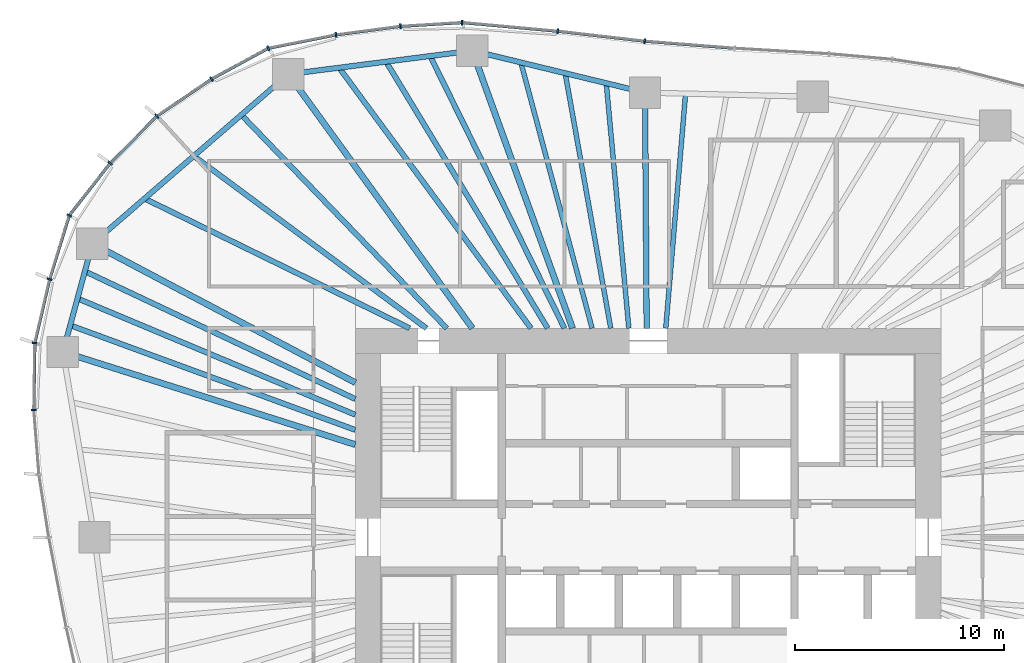
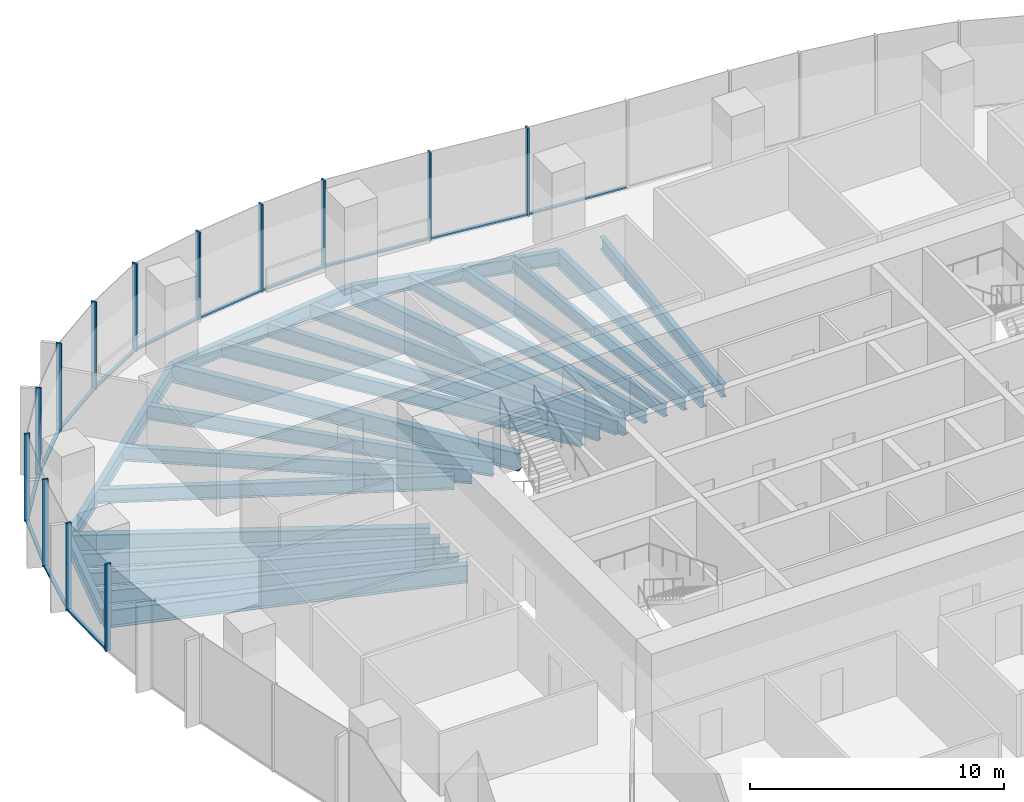
# One storey, part 5 of 18: 26 members, 22 beams, 6 elements without a shape of their own.
"""IFC4 building model written with IfcOpenShell, lengths in metres."""

from ifc_helpers import new_model, si_unit, direction, frame, origin, origin_2d, place, context, subcontext, project, spatial, rectangle, i_section, extrude, material, material_profile, profile_set, type_object, element, aggregate, save


model = new_model("IFC4")

# Units and contexts
model_context = context("Model", 3, precision=1e-05, world=origin(), true_north=direction((0.0, 1.0)))
body_context = subcontext(model_context, "Body", "Model", "MODEL_VIEW")
ifc_project = project(units=[si_unit("LENGTHUNIT", "METRE"), si_unit("AREAUNIT", "SQUARE_METRE"), si_unit("VOLUMEUNIT", "CUBIC_METRE"), si_unit("PLANEANGLEUNIT", "RADIAN"), si_unit("MASSUNIT", "GRAM", prefix="KILO")], contexts=[model_context])

# Site, building, storey
site_placement = place(None, origin())
site = spatial("IfcSite", under=ifc_project, at=site_placement, CompositionType="ELEMENT")
building_placement = place(site_placement, origin())
building = spatial("IfcBuilding", under=site, at=building_placement, Name="Ghaith Harvest Tower", CompositionType="ELEMENT")
storey_placement = place(building_placement, frame((0.0, 0.0, 130.199951171875)))
storey = spatial("IfcBuildingStorey", under=building, at=storey_placement, Name="L27", CompositionType="ELEMENT", Elevation=130.199951171875)

# Curtain wall, members
ifc_material_1 = material(Name="Black anodised aluminium and fritted glass", Category="aluminium")
curtain_wall_type = type_object("IfcCurtainWallType", Name="CW-L CURTAIN WALL", PredefinedType="NOTDEFINED", material=ifc_material_1)
curtain_wall_1_placement = place(storey_placement, origin())
curtain_wall_1 = element("IfcCurtainWall", 1, at=curtain_wall_1_placement, inside=storey, type_object=curtain_wall_type, Name="Curtain wall CW-L bay 06 L27", PredefinedType="NOTDEFINED")
ifc_material_2 = material(Name="Aluminium, black anodised", Category="aluminium")
ifc_material_profile_1 = material_profile(ifc_material_2, rectangle(XDim=0.080078125, YDim=0.239990234375, at=origin_2d()), Name="CW-L MULLION 80x240")
ifc_profile_set_1 = profile_set([ifc_material_profile_1], Name="Aluminium, black anodised")
member_type_1 = type_object("IfcMemberType", Name="CW-L MULLION 80x240", PredefinedType="MULLION", material=ifc_profile_set_1)
member_1_placement = place(storey_placement, frame((-0.162353515625, 23.729736328125, 0.0), z_axis=(0.0, 0.0, 1.0), x_axis=(-0.995388088953, 0.095929934691, 0.0)))
member_1 = element("IfcMember", 2, at=member_1_placement, type_object=member_type_1, Name="CW-L mullion 1 bay 06 L27", PredefinedType="MULLION", context=body_context, shape_type="SweptSolid", body=[
    extrude(rectangle(XDim=0.080078125, YDim=0.239990234375, at=origin_2d()), origin(), (0.0, 0.0, 1.0), 4.199951171875),
])
member_2_placement = place(storey_placement, frame((-4.322998046875, 24.207275390625, 0.0), z_axis=(0.0, 0.0, 1.0), x_axis=(-0.994830371571, 0.101550636625, 0.0)))
member_2 = element("IfcMember", 3, at=member_2_placement, type_object=member_type_1, Name="CW-L mullion 2 bay 06 L27", PredefinedType="MULLION", context=body_context, shape_type="SweptSolid", body=[
    extrude(rectangle(XDim=0.080078125, YDim=0.239990234375, at=origin_2d()), origin(), (0.0, 0.0, 1.0), 4.199951171875),
])

curtain_wall_2_placement = place(storey_placement, origin())
curtain_wall_2 = element("IfcCurtainWall", 4, at=curtain_wall_2_placement, inside=storey, type_object=curtain_wall_type, Name="Curtain wall CW-L bay 07 L27", PredefinedType="NOTDEFINED")
member_3_placement = place(storey_placement, frame((-8.892578125, 24.620849609375, 0.0), z_axis=(0.0, 0.0, 1.0), x_axis=(-0.999522209385, 0.030908784286, 0.0)))
member_3 = element("IfcMember", 5, at=member_3_placement, type_object=member_type_1, Name="CW-L mullion 1 bay 07 L27", PredefinedType="MULLION", context=body_context, shape_type="SweptSolid", body=[
    extrude(rectangle(XDim=0.080078125, YDim=0.239990234375, at=origin_2d()), origin(), (0.0, 0.0, 1.0), 4.199951171875),
])
member_4_placement = place(storey_placement, frame((-11.841064453125, 24.439697265625, 0.0), z_axis=(0.0, 0.0, 1.0), x_axis=(-0.995237520168, -0.097479630949, 0.0)))
member_4 = element("IfcMember", 6, at=member_4_placement, type_object=member_type_1, Name="CW-L mullion 2 bay 07 L27", PredefinedType="MULLION", context=body_context, shape_type="SweptSolid", body=[
    extrude(rectangle(XDim=0.080078125, YDim=0.239990234375, at=origin_2d()), origin(), (0.0, 0.0, 1.0), 4.199951171875),
])
member_5_placement = place(storey_placement, frame((-14.923828125, 24.030029296875, 0.0), z_axis=(0.0, 0.0, 1.0), x_axis=(-0.986494514812, -0.163794298578, 0.0)))
member_5 = element("IfcMember", 7, at=member_5_placement, type_object=member_type_1, Name="CW-L mullion 3 bay 07 L27", PredefinedType="MULLION", context=body_context, shape_type="SweptSolid", body=[
    extrude(rectangle(XDim=0.080078125, YDim=0.239990234375, at=origin_2d()), origin(), (0.0, 0.0, 1.0), 4.199951171875),
])

curtain_wall_3_placement = place(storey_placement, origin())
curtain_wall_3 = element("IfcCurtainWall", 8, at=curtain_wall_3_placement, inside=storey, type_object=curtain_wall_type, Name="Curtain wall CW-L bay 08 L27", PredefinedType="NOTDEFINED")
member_6_placement = place(storey_placement, frame((-18.165283203125, 23.3896484375, 0.0), z_axis=(0.0, 0.0, 1.0), x_axis=(-0.942103541202, -0.335322110298, 0.0)))
member_6 = element("IfcMember", 9, at=member_6_placement, type_object=member_type_1, Name="CW-L mullion 1 bay 08 L27", PredefinedType="MULLION", context=body_context, shape_type="SweptSolid", body=[
    extrude(rectangle(XDim=0.080078125, YDim=0.239990234375, at=origin_2d()), origin(), (0.0, 0.0, 1.0), 4.199951171875),
])
member_7_placement = place(storey_placement, frame((-20.87548828125, 21.91162109375, 0.0), z_axis=(0.0, 0.0, 1.0), x_axis=(-0.853515864435, -0.521066856707, 0.0)))
member_7 = element("IfcMember", 10, at=member_7_placement, type_object=member_type_1, Name="CW-L mullion 2 bay 08 L27", PredefinedType="MULLION", context=body_context, shape_type="SweptSolid", body=[
    extrude(rectangle(XDim=0.080078125, YDim=0.239990234375, at=origin_2d()), origin(), (0.0, 0.0, 1.0), 4.199951171875),
])
member_8_placement = place(storey_placement, frame((-23.489501953125, 20.13916015625, 0.0), z_axis=(0.0, 0.0, 1.0), x_axis=(-0.769682554376, -0.638426789451, 0.0)))
member_8 = element("IfcMember", 11, at=member_8_placement, type_object=member_type_1, Name="CW-L mullion 3 bay 08 L27", PredefinedType="MULLION", context=body_context, shape_type="SweptSolid", body=[
    extrude(rectangle(XDim=0.080078125, YDim=0.239990234375, at=origin_2d()), origin(), (0.0, 0.0, 1.0), 4.199951171875),
])

curtain_wall_4_placement = place(storey_placement, origin())
curtain_wall_4 = element("IfcCurtainWall", 12, at=curtain_wall_4_placement, inside=storey, type_object=curtain_wall_type, Name="Curtain wall CW-L bay 09 L27", PredefinedType="NOTDEFINED")
member_9_placement = place(storey_placement, frame((-25.718017578125, 17.894775390625, 0.0), z_axis=(0.0, 0.0, 1.0), x_axis=(-0.661903840688, -0.749588757708, 0.0)))
member_9 = element("IfcMember", 13, at=member_9_placement, type_object=member_type_1, Name="CW-L mullion 1 bay 09 L27", PredefinedType="MULLION", context=body_context, shape_type="SweptSolid", body=[
    extrude(rectangle(XDim=0.080078125, YDim=0.239990234375, at=origin_2d()), origin(), (0.0, 0.0, 1.0), 4.199951171875),
])
member_10_placement = place(storey_placement, frame((-27.67919921875, 15.39453125, 0.0), z_axis=(0.0, 0.0, 1.0), x_axis=(-0.462889784298, -0.886415843491, 0.0)))
member_10 = element("IfcMember", 14, at=member_10_placement, type_object=member_type_1, Name="CW-L mullion 2 bay 09 L27", PredefinedType="MULLION", context=body_context, shape_type="SweptSolid", body=[
    extrude(rectangle(XDim=0.080078125, YDim=0.239990234375, at=origin_2d()), origin(), (0.0, 0.0, 1.0), 4.199951171875),
])
member_11_placement = place(storey_placement, frame((-28.61669921875, 12.343994140625, 0.0), z_axis=(0.0, 0.0, 1.0), x_axis=(-0.260727312416, -0.965412486226, 0.0)))
member_11 = element("IfcMember", 15, at=member_11_placement, type_object=member_type_1, Name="CW-L mullion 3 bay 09 L27", PredefinedType="MULLION", context=body_context, shape_type="SweptSolid", body=[
    extrude(rectangle(XDim=0.080078125, YDim=0.239990234375, at=origin_2d()), origin(), (0.0, 0.0, 1.0), 4.199951171875),
])

curtain_wall_5_placement = place(storey_placement, origin())
curtain_wall_5 = element("IfcCurtainWall", 16, at=curtain_wall_5_placement, inside=storey, type_object=curtain_wall_type, Name="Curtain wall CW-L bay 10 L27", PredefinedType="NOTDEFINED")
member_12_placement = place(storey_placement, frame((-29.32666015625, 9.294189453125, 0.0), z_axis=(0.0, 0.0, 1.0), x_axis=(-0.120932140225, -0.99266077663, 0.0)))
member_12 = element("IfcMember", 17, at=member_12_placement, type_object=member_type_1, Name="CW-L mullion 1 bay 10 L27", PredefinedType="MULLION", context=body_context, shape_type="SweptSolid", body=[
    extrude(rectangle(XDim=0.080078125, YDim=0.239990234375, at=origin_2d()), origin(), (0.0, 0.0, 1.0), 4.199951171875),
])
member_13_placement = place(storey_placement, frame((-29.3779296875, 6.09619140625, 0.0), z_axis=(0.0, 0.0, 1.0), x_axis=(0.031027769448, -0.999518522851, 0.0)))
member_13 = element("IfcMember", 18, at=member_13_placement, type_object=member_type_1, Name="CW-L mullion 2 bay 10 L27", PredefinedType="MULLION", context=body_context, shape_type="SweptSolid", body=[
    extrude(rectangle(XDim=0.080078125, YDim=0.239990234375, at=origin_2d()), origin(), (0.0, 0.0, 1.0), 4.199951171875),
])

# Curtain wall, member
curtain_wall_6_placement = place(storey_placement, origin())
curtain_wall_6 = element("IfcCurtainWall", 19, at=curtain_wall_6_placement, inside=storey, type_object=curtain_wall_type, Name="Curtain wall CW-L bay 05 L27", PredefinedType="NOTDEFINED")
ifc_material_3 = material(Name="Aluminium, black anodised", Category="aluminium")
ifc_material_profile_2 = material_profile(ifc_material_3, rectangle(XDim=0.14990234375, YDim=0.080078125, at=origin_2d()), Name="CW-L TRANSOM 150x80")
ifc_profile_set_2 = profile_set([ifc_material_profile_2], Name="Aluminium, black anodised")
member_type_2 = type_object("IfcMemberType", Name="CW-L TRANSOM 150x80", PredefinedType="USERDEFINED", material=ifc_profile_set_2)
member_14_placement = place(storey_placement, frame((4.106689453125, 23.39404296875, 0.0400390625), z_axis=(-0.996923406046, 0.078381901463, 0.0), x_axis=(-0.078381901463, -0.996923406046, 0.0)))
member_14 = element("IfcMember", 20, at=member_14_placement, type_object=member_type_2, Name="CW-L transom 2 bay 05 L27", ObjectType="TRANSOM", PredefinedType="USERDEFINED", context=body_context, shape_type="SweptSolid", body=[
    extrude(rectangle(XDim=0.14990234375, YDim=0.080078125, at=origin_2d()), origin(), (0.0, 0.0, 1.0), 4.2421875),
])
aggregate(curtain_wall_6, [member_14])

# Member
member_15_placement = place(storey_placement, frame((-0.2021484375, 23.734130859375, 0.0400390625), z_axis=(-0.993474883942, 0.114051106861, 0.0), x_axis=(-0.114051106861, -0.993474883942, 0.0)))
member_15 = element("IfcMember", 21, at=member_15_placement, type_object=member_type_2, Name="CW-L transom 1 bay 06 L27", ObjectType="TRANSOM", PredefinedType="USERDEFINED", context=body_context, shape_type="SweptSolid", body=[
    extrude(rectangle(XDim=0.14990234375, YDim=0.080078125, at=origin_2d()), origin(), (0.0, 0.0, 1.0), 4.10791015625),
])

member_16_placement = place(storey_placement, frame((-4.36279296875, 24.210693359375, 0.0400390625), z_axis=(-0.995926431676, 0.090169521954, 0.0), x_axis=(-0.090169521954, -0.995926431676, 0.0)))
member_16 = element("IfcMember", 22, at=member_16_placement, type_object=member_type_2, Name="CW-L transom 2 bay 06 L27", ObjectType="TRANSOM", PredefinedType="USERDEFINED", context=body_context, shape_type="SweptSolid", body=[
    extrude(rectangle(XDim=0.14990234375, YDim=0.080078125, at=origin_2d()), origin(), (0.0, 0.0, 1.0), 4.508056640625),
])

aggregate(curtain_wall_1, [member_1, member_15, member_2, member_16])

member_17_placement = place(storey_placement, frame((-8.932373046875, 24.618408203125, 0.0400390625), z_axis=(-0.998117793577, -0.061325933705, 0.0), x_axis=(0.061325933705, -0.998117793577, 0.0)))
member_17 = element("IfcMember", 23, at=member_17_placement, type_object=member_type_2, Name="CW-L transom 1 bay 07 L27", ObjectType="TRANSOM", PredefinedType="USERDEFINED", context=body_context, shape_type="SweptSolid", body=[
    extrude(rectangle(XDim=0.14990234375, YDim=0.080078125, at=origin_2d()), origin(), (0.0, 0.0, 1.0), 2.874267578125),
])

member_18_placement = place(storey_placement, frame((-11.880859375, 24.434326171875, 0.0400390625), z_axis=(-0.991293929443, -0.131667556553, 0.0), x_axis=(0.131667556553, -0.991293929443, 0.0)))
member_18 = element("IfcMember", 24, at=member_18_placement, type_object=member_type_2, Name="CW-L transom 2 bay 07 L27", ObjectType="TRANSOM", PredefinedType="USERDEFINED", context=body_context, shape_type="SweptSolid", body=[
    extrude(rectangle(XDim=0.14990234375, YDim=0.080078125, at=origin_2d()), origin(), (0.0, 0.0, 1.0), 3.02978515625),
])

member_19_placement = place(storey_placement, frame((-14.963134765625, 24.022216796875, 0.0400390625), z_axis=(-0.98104391994, -0.19378551842, 0.0), x_axis=(0.19378551842, -0.98104391994, 0.0)))
member_19 = element("IfcMember", 25, at=member_19_placement, type_object=member_type_2, Name="CW-L transom 3 bay 07 L27", ObjectType="TRANSOM", PredefinedType="USERDEFINED", context=body_context, shape_type="SweptSolid", body=[
    extrude(rectangle(XDim=0.14990234375, YDim=0.080078125, at=origin_2d()), origin(), (0.0, 0.0, 1.0), 3.223876953125),
])

aggregate(curtain_wall_2, [member_3, member_17, member_4, member_18, member_5, member_19])

member_20_placement = place(storey_placement, frame((-18.200439453125, 23.37060546875, 0.0400390625), z_axis=(-0.877929702377, -0.478789554695, 0.0), x_axis=(0.478789554695, -0.877929702377, 0.0)))
member_20 = element("IfcMember", 26, at=member_20_placement, type_object=member_type_2, Name="CW-L transom 1 bay 08 L27", ObjectType="TRANSOM", PredefinedType="USERDEFINED", context=body_context, shape_type="SweptSolid", body=[
    extrude(rectangle(XDim=0.14990234375, YDim=0.080078125, at=origin_2d()), origin(), (0.0, 0.0, 1.0), 3.0068359375),
])

member_21_placement = place(storey_placement, frame((-20.908447265625, 21.88916015625, 0.0400390625), z_axis=(-0.827681025079, -0.561198824593, 0.0), x_axis=(0.561198824593, -0.827681025079, 0.0)))
member_21 = element("IfcMember", 27, at=member_21_placement, type_object=member_type_2, Name="CW-L transom 2 bay 08 L27", ObjectType="TRANSOM", PredefinedType="USERDEFINED", context=body_context, shape_type="SweptSolid", body=[
    extrude(rectangle(XDim=0.14990234375, YDim=0.080078125, at=origin_2d()), origin(), (0.0, 0.0, 1.0), 3.078369140625),
])

member_22_placement = place(storey_placement, frame((-23.517578125, 20.11083984375, 0.0400390625), z_axis=(-0.704647577514, -0.709557461735, 0.0), x_axis=(0.709557461735, -0.704647577514, 0.0)))
member_22 = element("IfcMember", 28, at=member_22_placement, type_object=member_type_2, Name="CW-L transom 3 bay 08 L27", ObjectType="TRANSOM", PredefinedType="USERDEFINED", context=body_context, shape_type="SweptSolid", body=[
    extrude(rectangle(XDim=0.14990234375, YDim=0.080078125, at=origin_2d()), origin(), (0.0, 0.0, 1.0), 3.0830078125),
])

aggregate(curtain_wall_3, [member_6, member_20, member_7, member_21, member_8, member_22])

member_23_placement = place(storey_placement, frame((-25.74267578125, 17.86328125, 0.0400390625), z_axis=(-0.617198298797, -0.786807638474, 0.0), x_axis=(0.786807638474, -0.617198298797, 0.0)))
member_23 = element("IfcMember", 29, at=member_23_placement, type_object=member_type_2, Name="CW-L transom 1 bay 09 L27", ObjectType="TRANSOM", PredefinedType="USERDEFINED", context=body_context, shape_type="SweptSolid", body=[
    extrude(rectangle(XDim=0.14990234375, YDim=0.080078125, at=origin_2d()), origin(), (0.0, 0.0, 1.0), 3.09765625),
])

member_24_placement = place(storey_placement, frame((-27.69091796875, 15.356201171875, 0.0400390625), z_axis=(-0.293777058804, -0.955873966441, 0.0), x_axis=(0.955873966441, -0.293777058804, 0.0)))
member_24 = element("IfcMember", 30, at=member_24_placement, type_object=member_type_2, Name="CW-L transom 2 bay 09 L27", ObjectType="TRANSOM", PredefinedType="USERDEFINED", context=body_context, shape_type="SweptSolid", body=[
    extrude(rectangle(XDim=0.14990234375, YDim=0.080078125, at=origin_2d()), origin(), (0.0, 0.0, 1.0), 3.111328125),
])

member_25_placement = place(storey_placement, frame((-28.6259765625, 12.304931640625, 0.0400390625), z_axis=(-0.226670598607, -0.973971477882, 0.0), x_axis=(0.973971477882, -0.226670598607, 0.0)))
member_25 = element("IfcMember", 31, at=member_25_placement, type_object=member_type_2, Name="CW-L transom 3 bay 09 L27", ObjectType="TRANSOM", PredefinedType="USERDEFINED", context=body_context, shape_type="SweptSolid", body=[
    extrude(rectangle(XDim=0.14990234375, YDim=0.080078125, at=origin_2d()), origin(), (0.0, 0.0, 1.0), 3.05126953125),
])

aggregate(curtain_wall_4, [member_9, member_23, member_10, member_24, member_11, member_25])

member_26_placement = place(storey_placement, frame((-29.327392578125, 9.254150390625, 0.0400390625), z_axis=(-0.015971652868, -0.999872445017, 0.0), x_axis=(0.999872445017, -0.015971652868, 0.0)))
member_26 = element("IfcMember", 32, at=member_26_placement, type_object=member_type_2, Name="CW-L transom 1 bay 10 L27", ObjectType="TRANSOM", PredefinedType="USERDEFINED", context=body_context, shape_type="SweptSolid", body=[
    extrude(rectangle(XDim=0.14990234375, YDim=0.080078125, at=origin_2d()), origin(), (0.0, 0.0, 1.0), 3.118408203125),
])

aggregate(curtain_wall_5, [member_12, member_26, member_13])

# Beams
ifc_material_4 = material(Name="Steel ASTM A992 Grade 50", Category="steel")
ifc_material_profile_3 = material_profile(ifc_material_4, i_section(OverallWidth=0.25390625, OverallDepth=0.68408203125, WebThickness=0.012451171875, FlangeThickness=0.018798828125, at=origin_2d()), Name="W690X140")
ifc_profile_set_3 = profile_set([ifc_material_profile_3], Name="Steel ASTM A992 Grade 50")
beam_type_1 = type_object("IfcBeamType", Name="E690-140 W690X140", PredefinedType="SPANDREL", material=ifc_profile_set_3)
beam_1_placement = place(storey_placement, frame((-0.14599609375, 21.27099609375, -0.511962890625), z_axis=(-0.971790293477, 0.235846614358, 0.0), x_axis=(-0.235846614358, -0.971790293477, 0.0)))
element("IfcBeam", 33, at=beam_1_placement, inside=storey, type_object=beam_type_1, Name="Edge beam E06 L27", PredefinedType="SPANDREL", context=body_context, shape_type="SweptSolid", body=[
    extrude(i_section(OverallWidth=0.25390625, OverallDepth=0.68408203125, WebThickness=0.012451171875, FlangeThickness=0.018798828125, at=origin_2d()), origin(), (0.0, 0.0, 1.0), 8.500732421875),
])
beam_2_placement = place(storey_placement, frame((-8.406982421875, 23.27587890625, -0.511962890625), z_axis=(-0.991904090065, -0.126989275577, 0.0), x_axis=(0.126989275577, -0.991904090065, 0.0)))
element("IfcBeam", 34, at=beam_2_placement, inside=storey, type_object=beam_type_1, Name="Edge beam E07 L27", PredefinedType="SPANDREL", context=body_context, shape_type="SweptSolid", body=[
    extrude(i_section(OverallWidth=0.25390625, OverallDepth=0.68408203125, WebThickness=0.012451171875, FlangeThickness=0.018798828125, at=origin_2d()), origin(), (0.0, 0.0, 1.0), 8.86669921875),
])
beam_3_placement = place(storey_placement, frame((-17.201904296875, 22.14990234375, -0.511962890625), z_axis=(-0.756392158274, -0.654118416574, 0.0), x_axis=(0.654118416574, -0.756392158274, 0.0)))
element("IfcBeam", 35, at=beam_3_placement, inside=storey, type_object=beam_type_1, Name="Edge beam E08 L27", PredefinedType="SPANDREL", context=body_context, shape_type="SweptSolid", body=[
    extrude(i_section(OverallWidth=0.25390625, OverallDepth=0.68408203125, WebThickness=0.012451171875, FlangeThickness=0.018798828125, at=origin_2d()), origin(), (0.0, 0.0, 1.0), 12.38916015625),
])
beam_4_placement = place(storey_placement, frame((-26.572998046875, 14.0458984375, -0.511962890625), z_axis=(-0.262724740433, -0.964870825947, 0.0), x_axis=(0.964870825947, -0.262724740433, 0.0)))
element("IfcBeam", 36, at=beam_4_placement, inside=storey, type_object=beam_type_1, Name="Edge beam E09 L27", PredefinedType="SPANDREL", context=body_context, shape_type="SweptSolid", body=[
    extrude(i_section(OverallWidth=0.25390625, OverallDepth=0.68408203125, WebThickness=0.012451171875, FlangeThickness=0.018798828125, at=origin_2d()), origin(), (0.0, 0.0, 1.0), 5.366455078125),
])
ifc_material_5 = material(Name="Steel ASTM A992 Grade 50", Category="steel")
ifc_material_profile_4 = material_profile(ifc_material_5, i_section(OverallWidth=0.26806640625, OverallDepth=0.77001953125, WebThickness=0.015625, FlangeThickness=0.025390625, at=origin_2d()), Name="W760X196")
ifc_profile_set_4 = profile_set([ifc_material_profile_4], Name="Steel ASTM A992 Grade 50")
beam_type_2 = type_object("IfcBeamType", Name="G760-196 W760X196", PredefinedType="BEAM", material=ifc_profile_set_4)
beam_5_placement = place(storey_placement, frame((-0.068359375, 10.0, -0.554931640625), z_axis=(-0.006888022705, 0.99997627729, 0.0), x_axis=(-0.99997627729, -0.006888022705, 0.0)))
element("IfcBeam", 37, at=beam_5_placement, inside=storey, type_object=beam_type_2, Name="Radial girder G06 L27", PredefinedType="BEAM", context=body_context, shape_type="SweptSolid", body=[
    extrude(i_section(OverallWidth=0.26806640625, OverallDepth=0.77001953125, WebThickness=0.015625, FlangeThickness=0.025390625, at=origin_2d()), origin(), (0.0, 0.0, 1.0), 11.271240234375),
])
ifc_material_6 = material(Name="Steel ASTM A992 Grade 50", Category="steel")
ifc_material_profile_5 = material_profile(ifc_material_6, i_section(OverallWidth=0.2939453125, OverallDepth=0.85107421875, WebThickness=0.01611328125, FlangeThickness=0.02685546875, at=origin_2d()), Name="W840X226")
ifc_profile_set_5 = profile_set([ifc_material_profile_5], Name="Steel ASTM A992 Grade 50")
beam_type_3 = type_object("IfcBeamType", Name="G840-226 W840X226", PredefinedType="BEAM", material=ifc_profile_set_5)
beam_6_placement = place(storey_placement, frame((-3.61181640625, 10.0, -0.595458984375), z_axis=(-0.339713316819, 0.940529033245, 0.0), x_axis=(-0.940529033245, -0.339713316819, 0.0)))
element("IfcBeam", 38, at=beam_6_placement, inside=storey, type_object=beam_type_3, Name="Radial girder G07 L27", PredefinedType="BEAM", context=body_context, shape_type="SweptSolid", body=[
    extrude(i_section(OverallWidth=0.2939453125, OverallDepth=0.85107421875, WebThickness=0.01611328125, FlangeThickness=0.02685546875, at=origin_2d()), origin(), (0.0, 0.0, 1.0), 14.115234375),
])
beam_7_placement = place(storey_placement, frame((-8.39990234375, 10.0, -0.595458984375), z_axis=(-0.586675813287, 0.809821887889, 0.0), x_axis=(-0.809821887889, -0.586675813287, 0.0)))
element("IfcBeam", 39, at=beam_7_placement, inside=storey, type_object=beam_type_3, Name="Radial girder G08 L27", PredefinedType="BEAM", context=body_context, shape_type="SweptSolid", body=[
    extrude(i_section(OverallWidth=0.2939453125, OverallDepth=0.85107421875, WebThickness=0.01611328125, FlangeThickness=0.02685546875, at=origin_2d()), origin(), (0.0, 0.0, 1.0), 15.003173828125),
])
beam_8_placement = place(storey_placement, frame((-14.0, 7.39990234375, -0.595458984375), z_axis=(-0.88408713845, 0.467322085533, 0.0), x_axis=(-0.467322085533, -0.88408713845, 0.0)))
element("IfcBeam", 40, at=beam_8_placement, inside=storey, type_object=beam_type_3, Name="Radial girder G09 L27", PredefinedType="BEAM", context=body_context, shape_type="SweptSolid", body=[
    extrude(i_section(OverallWidth=0.2939453125, OverallDepth=0.85107421875, WebThickness=0.01611328125, FlangeThickness=0.02685546875, at=origin_2d()), origin(), (0.0, 0.0, 1.0), 14.221435546875),
])
beam_9_placement = place(storey_placement, frame((-14.0, 4.43701171875, -0.595458984375), z_axis=(-0.953283605796, 0.302076756671, 0.0), x_axis=(-0.302076756671, -0.953283605796, 0.0)))
element("IfcBeam", 41, at=beam_9_placement, inside=storey, type_object=beam_type_3, Name="Radial girder G10 L27", PredefinedType="BEAM", context=body_context, shape_type="SweptSolid", body=[
    extrude(i_section(OverallWidth=0.2939453125, OverallDepth=0.85107421875, WebThickness=0.01611328125, FlangeThickness=0.02685546875, at=origin_2d()), origin(), (0.0, 0.0, 1.0), 14.668212890625),
])
ifc_material_7 = material(Name="Steel ASTM A992 Grade 50", Category="steel")
ifc_material_profile_6 = material_profile(ifc_material_7, i_section(OverallWidth=0.22900390625, OverallDepth=0.612060546875, WebThickness=0.011962890625, FlangeThickness=0.01953125, at=origin_2d()), Name="W610X125")
ifc_profile_set_6 = profile_set([ifc_material_profile_6], Name="Steel ASTM A992 Grade 50")
beam_type_4 = type_object("IfcBeamType", Name="J610-125 W610X125", PredefinedType="JOIST", material=ifc_profile_set_6)
beam_10_placement = place(storey_placement, frame((0.844970703125, 10.0, -0.475830078125), z_axis=(0.084213263804, 0.996447753873, 0.0), x_axis=(-0.996447753873, 0.084213263804, 0.0)))
element("IfcBeam", 42, at=beam_10_placement, inside=storey, type_object=beam_type_4, Name="Joist J05.3 L27", PredefinedType="JOIST", context=body_context, shape_type="SweptSolid", body=[
    extrude(i_section(OverallWidth=0.22900390625, OverallDepth=0.612060546875, WebThickness=0.011962890625, FlangeThickness=0.01953125, at=origin_2d()), origin(), (0.0, 0.0, 1.0), 11.262939453125),
])
beam_11_placement = place(storey_placement, frame((-0.92041015625, 10.0, -0.475830078125), z_axis=(-0.091659676302, 0.995790391468, 0.0), x_axis=(-0.995790391468, -0.091659676302, 0.0)))
element("IfcBeam", 43, at=beam_11_placement, inside=storey, type_object=beam_type_4, Name="Joist J06.1 L27", PredefinedType="JOIST", context=body_context, shape_type="SweptSolid", body=[
    extrude(i_section(OverallWidth=0.22900390625, OverallDepth=0.612060546875, WebThickness=0.011962890625, FlangeThickness=0.01953125, at=origin_2d()), origin(), (0.0, 0.0, 1.0), 11.770263671875),
])
beam_12_placement = place(storey_placement, frame((-1.785888671875, 10.0, -0.475830078125), z_axis=(-0.175794730188, 0.984426844838, 0.0), x_axis=(-0.984426844838, -0.175794730188, 0.0)))
element("IfcBeam", 44, at=beam_12_placement, inside=storey, type_object=beam_type_4, Name="Joist J06.2 L27", PredefinedType="JOIST", context=body_context, shape_type="SweptSolid", body=[
    extrude(i_section(OverallWidth=0.22900390625, OverallDepth=0.612060546875, WebThickness=0.011962890625, FlangeThickness=0.01953125, at=origin_2d()), origin(), (0.0, 0.0, 1.0), 12.390625),
])
beam_13_placement = place(storey_placement, frame((-2.677978515625, 10.0, -0.475830078125), z_axis=(-0.258692500157, 0.965959725021, 0.0), x_axis=(-0.965959725021, -0.258692500157, 0.0)))
element("IfcBeam", 45, at=beam_13_placement, inside=storey, type_object=beam_type_4, Name="Joist J06.3 L27", PredefinedType="JOIST", context=body_context, shape_type="SweptSolid", body=[
    extrude(i_section(OverallWidth=0.22900390625, OverallDepth=0.612060546875, WebThickness=0.011962890625, FlangeThickness=0.01953125, at=origin_2d()), origin(), (0.0, 0.0, 1.0), 13.15966796875),
])
ifc_material_8 = material(Name="Steel ASTM A992 Grade 50", Category="steel")
ifc_material_profile_7 = material_profile(ifc_material_8, i_section(OverallWidth=0.25390625, OverallDepth=0.68408203125, WebThickness=0.012451171875, FlangeThickness=0.018798828125, at=origin_2d()), Name="W690X140")
ifc_profile_set_7 = profile_set([ifc_material_profile_7], Name="Steel ASTM A992 Grade 50")
beam_type_5 = type_object("IfcBeamType", Name="J690-140 W690X140", PredefinedType="JOIST", material=ifc_profile_set_7)
beam_14_placement = place(storey_placement, frame((-4.0, 10.0, -0.511962890625), z_axis=(-0.442214455448, 0.896909346251, 0.0), x_axis=(-0.896909346251, -0.442214455448, 0.0)))
element("IfcBeam", 46, at=beam_14_placement, inside=storey, type_object=beam_type_5, Name="Joist J07.1 L27", PredefinedType="JOIST", context=body_context, shape_type="SweptSolid", body=[
    extrude(i_section(OverallWidth=0.25390625, OverallDepth=0.68408203125, WebThickness=0.012451171875, FlangeThickness=0.018798828125, at=origin_2d()), origin(), (0.0, 0.0, 1.0), 14.514892578125),
])
beam_15_placement = place(storey_placement, frame((-4.800048828125, 10.0, -0.511962890625), z_axis=(-0.51847337083, 0.855093774822, 0.0), x_axis=(-0.855093774822, -0.51847337083, 0.0)))
element("IfcBeam", 47, at=beam_15_placement, inside=storey, type_object=beam_type_5, Name="Joist J07.2 L27", PredefinedType="JOIST", context=body_context, shape_type="SweptSolid", body=[
    extrude(i_section(OverallWidth=0.25390625, OverallDepth=0.68408203125, WebThickness=0.012451171875, FlangeThickness=0.018798828125, at=origin_2d()), origin(), (0.0, 0.0, 1.0), 14.90869140625),
])
beam_16_placement = place(storey_placement, frame((-5.60009765625, 10.0, -0.511962890625), z_axis=(-0.592984827174, 0.805213632983, 0.0), x_axis=(-0.805213632983, -0.592984827174, 0.0)))
element("IfcBeam", 48, at=beam_16_placement, inside=storey, type_object=beam_type_5, Name="Joist J07.3 L27", PredefinedType="JOIST", context=body_context, shape_type="SweptSolid", body=[
    extrude(i_section(OverallWidth=0.25390625, OverallDepth=0.68408203125, WebThickness=0.012451171875, FlangeThickness=0.018798828125, at=origin_2d()), origin(), (0.0, 0.0, 1.0), 15.474609375),
])
beam_17_placement = place(storey_placement, frame((-9.626708984375, 10.0, -0.511962890625), z_axis=(-0.693535693616, 0.720422266231, 0.0), x_axis=(-0.720422266231, -0.693535693616, 0.0)))
element("IfcBeam", 49, at=beam_17_placement, inside=storey, type_object=beam_type_5, Name="Joist J08.1 L27", PredefinedType="JOIST", context=body_context, shape_type="SweptSolid", body=[
    extrude(i_section(OverallWidth=0.25390625, OverallDepth=0.68408203125, WebThickness=0.012451171875, FlangeThickness=0.018798828125, at=origin_2d()), origin(), (0.0, 0.0, 1.0), 14.16552734375),
])
beam_18_placement = place(storey_placement, frame((-10.60009765625, 10.0, -0.511962890625), z_axis=(-0.803663089107, 0.595084564752, 0.0), x_axis=(-0.595084564752, -0.803663089107, 0.0)))
element("IfcBeam", 50, at=beam_18_placement, inside=storey, type_object=beam_type_5, Name="Joist J08.2 L27", PredefinedType="JOIST", context=body_context, shape_type="SweptSolid", body=[
    extrude(i_section(OverallWidth=0.25390625, OverallDepth=0.68408203125, WebThickness=0.012451171875, FlangeThickness=0.018798828125, at=origin_2d()), origin(), (0.0, 0.0, 1.0), 13.843505859375),
])
beam_19_placement = place(storey_placement, frame((-11.39990234375, 10.0, -0.511962890625), z_axis=(-0.898274832354, 0.439434096946, 0.0), x_axis=(-0.439434096946, -0.898274832354, 0.0)))
element("IfcBeam", 51, at=beam_19_placement, inside=storey, type_object=beam_type_5, Name="Joist J08.3 L27", PredefinedType="JOIST", context=body_context, shape_type="SweptSolid", body=[
    extrude(i_section(OverallWidth=0.25390625, OverallDepth=0.68408203125, WebThickness=0.012451171875, FlangeThickness=0.018798828125, at=origin_2d()), origin(), (0.0, 0.0, 1.0), 14.114990234375),
])
beam_20_placement = place(storey_placement, frame((-14.0, 6.614990234375, -0.511962890625), z_axis=(-0.904153428261, 0.427207886354, 0.0), x_axis=(-0.427207886354, -0.904153428261, 0.0)))
element("IfcBeam", 52, at=beam_20_placement, inside=storey, type_object=beam_type_5, Name="Joist J09.1 L27", PredefinedType="JOIST", context=body_context, shape_type="SweptSolid", body=[
    extrude(i_section(OverallWidth=0.25390625, OverallDepth=0.68408203125, WebThickness=0.012451171875, FlangeThickness=0.018798828125, at=origin_2d()), origin(), (0.0, 0.0, 1.0), 14.303466796875),
])
beam_21_placement = place(storey_placement, frame((-14.0, 5.862548828125, -0.511962890625), z_axis=(-0.922385943167, 0.38626955853, 0.0), x_axis=(-0.38626955853, -0.922385943167, 0.0)))
element("IfcBeam", 53, at=beam_21_placement, inside=storey, type_object=beam_type_5, Name="Joist J09.2 L27", PredefinedType="JOIST", context=body_context, shape_type="SweptSolid", body=[
    extrude(i_section(OverallWidth=0.25390625, OverallDepth=0.68408203125, WebThickness=0.012451171875, FlangeThickness=0.018798828125, at=origin_2d()), origin(), (0.0, 0.0, 1.0), 14.404296875),
])
beam_22_placement = place(storey_placement, frame((-14.0, 5.137939453125, -0.511962890625), z_axis=(-0.93877541132, 0.344529718748, 0.0), x_axis=(-0.344529718748, -0.93877541132, 0.0)))
element("IfcBeam", 54, at=beam_22_placement, inside=storey, type_object=beam_type_5, Name="Joist J09.3 L27", PredefinedType="JOIST", context=body_context, shape_type="SweptSolid", body=[
    extrude(i_section(OverallWidth=0.25390625, OverallDepth=0.68408203125, WebThickness=0.012451171875, FlangeThickness=0.018798828125, at=origin_2d()), origin(), (0.0, 0.0, 1.0), 14.525390625),
])

save(model, "model.ifc")
